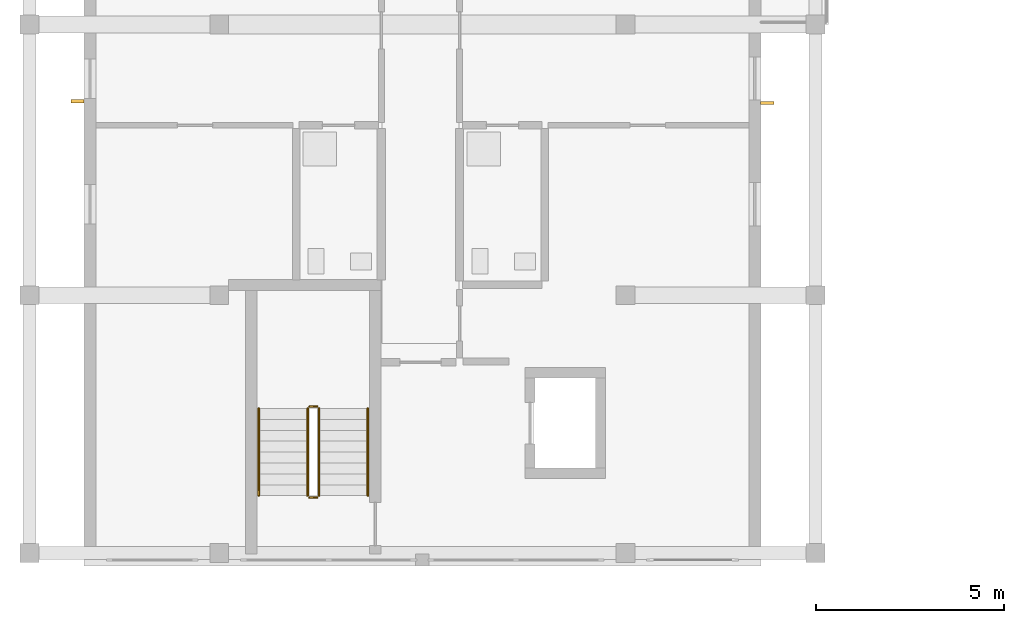
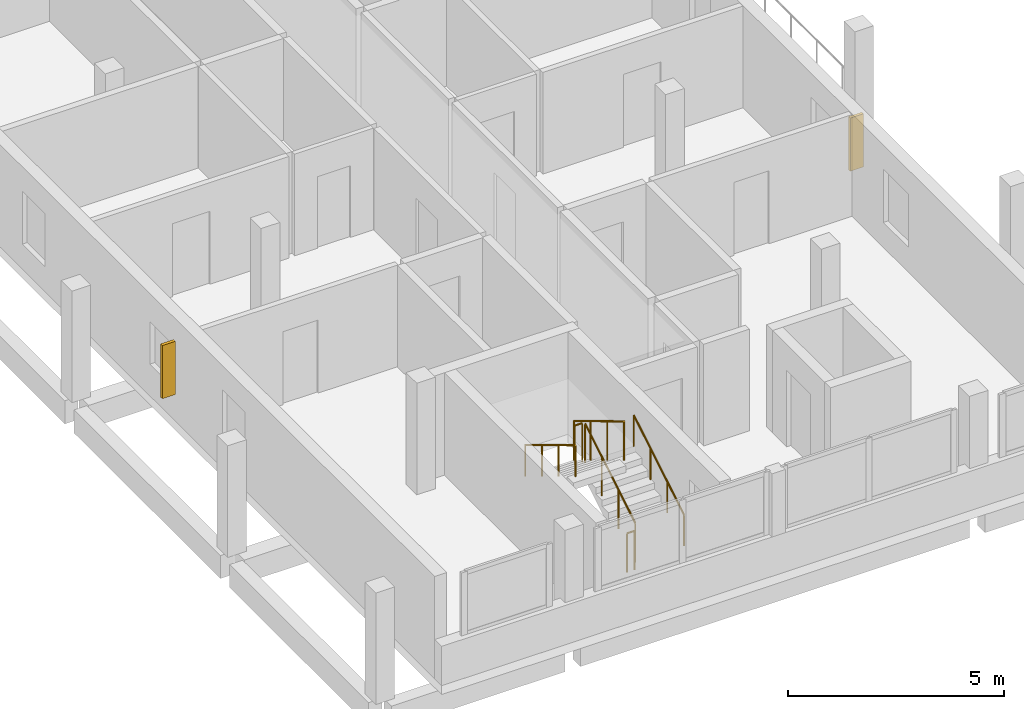
# One storey, part 12 of 16: 6 railings, 2 shading devices.
"""IFC4 building model written with IfcOpenShell, lengths in metres."""

from ifc_helpers import new_model, si_unit, derived_unit, direction, frame, origin, origin_2d, place, context, subcontext, project, spatial, rectangle, circle, extrude, material, type_object, element, save


model = new_model("IFC4")

# Units and contexts
model_context = context("Model", 3, precision=1e-05, world=origin(), true_north=direction((0.0, 1.0)))
body_context = subcontext(model_context, "Body", "Model", "MODEL_VIEW")
ifc_project = project(units=[si_unit("LENGTHUNIT", "METRE"), si_unit("AREAUNIT", "SQUARE_METRE"), si_unit("VOLUMEUNIT", "CUBIC_METRE"), si_unit("PLANEANGLEUNIT", "RADIAN"), si_unit("MASSUNIT", "GRAM", prefix="KILO"), derived_unit("THERMALTRANSMITTANCEUNIT", [(si_unit("MASSUNIT", "GRAM", prefix="KILO"), 1), (si_unit("TIMEUNIT", "SECOND"), -3), (si_unit("THERMODYNAMICTEMPERATUREUNIT", "KELVIN"), -1)])], contexts=[model_context])

# Site, building, storey
site_placement = place(None, origin())
site = spatial("IfcSite", under=ifc_project, at=site_placement, CompositionType="ELEMENT")
building_placement = place(site_placement, origin())
building = spatial("IfcBuilding", under=site, at=building_placement, Name="Ochrekiln Boulevard Commons", CompositionType="ELEMENT")
storey_placement = place(building_placement, frame((0.0, 0.0, 40.425048828125)))
storey = spatial("IfcBuildingStorey", under=building, at=storey_placement, Name="L12", CompositionType="ELEMENT", Elevation=40.425048828125)

# Railings
ifc_material_1 = material(Name="Brushed stainless steel 316 tubular railing", Category="steel")
railing_type_1 = type_object("IfcRailingType", Name="RLG-HDR-900", PredefinedType="HANDRAIL", material=ifc_material_1)
railing_1_placement = place(storey_placement, frame((9.35009765625, 70.27001953125, 0.175048828125)))
element("IfcRailing", 1, at=railing_1_placement, inside=storey, type_object=railing_type_1, Name="L12 ST-A1 stair handrail 1", PredefinedType="HANDRAIL", context=body_context, shape_type="SweptSolid", body=[
    extrude(circle(Radius=0.02392578125, at=origin_2d()), frame((0.0, 0.0, 0.8759765625), z_axis=(0.0, 0.85621033714, 0.516627388526), x_axis=(-1.0, 0.0, 0.0)), (0.0, 0.0, 1.0), 2.709716796875),
    extrude(circle(Radius=0.02099609375, at=origin_2d()), origin(), (0.0, 0.0, 1.0), 0.851806640625),
    extrude(circle(Radius=0.02099609375, at=origin_2d()), frame((0.0, 0.7734375, 0.466552734375)), (0.0, 0.0, 1.0), 0.851806640625),
    extrude(circle(Radius=0.02099609375, at=origin_2d()), frame((0.0, 1.546630859375, 0.933349609375)), (0.0, 0.0, 1.0), 0.851806640625),
    extrude(circle(Radius=0.02099609375, at=origin_2d()), frame((0.0, 2.320068359375, 1.39990234375)), (0.0, 0.0, 1.0), 0.851806640625),
])
railing_2_placement = place(storey_placement, frame((6.449951171875, 72.590087890625, 1.75)))
element("IfcRailing", 2, at=railing_2_placement, inside=storey, type_object=railing_type_1, Name="L12 ST-A1 stair handrail 2", PredefinedType="HANDRAIL", context=body_context, shape_type="SweptSolid", body=[
    extrude(circle(Radius=0.02392578125, at=origin_2d()), frame((0.0, 0.0, 0.8759765625), z_axis=(0.0, -0.85621033714, 0.516627388526), x_axis=(1.0, 0.0, 0.0)), (0.0, 0.0, 1.0), 2.709716796875),
    extrude(circle(Radius=0.02099609375, at=origin_2d()), origin(), (0.0, 0.0, 1.0), 0.851806640625),
    extrude(circle(Radius=0.02099609375, at=origin_2d()), frame((0.0, -0.7734375, 0.466552734375)), (0.0, 0.0, 1.0), 0.851806640625),
    extrude(circle(Radius=0.02099609375, at=origin_2d()), frame((0.0, -1.546630859375, 0.933349609375)), (0.0, 0.0, 1.0), 0.851806640625),
    extrude(circle(Radius=0.02099609375, at=origin_2d()), frame((0.0, -2.320068359375, 1.39990234375)), (0.0, 0.0, 1.0), 0.851806640625),
])
railing_type_2 = type_object("IfcRailingType", Name="RLG-STR-1120", PredefinedType="BALUSTRADE", material=ifc_material_1)
railing_3_placement = place(storey_placement, frame((8.050048828125, 70.27001953125, 0.175048828125)))
element("IfcRailing", 3, at=railing_3_placement, inside=storey, type_object=railing_type_2, Name="L12 ST-A1 stair guard 1", PredefinedType="BALUSTRADE", context=body_context, shape_type="SweptSolid", body=[
    extrude(circle(Radius=0.02392578125, at=origin_2d()), frame((0.0, 0.0, 1.09619140625), z_axis=(0.0, 0.85621033714, 0.516627388526), x_axis=(-1.0, 0.0, 0.0)), (0.0, 0.0, 1.0), 2.709716796875),
    extrude(circle(Radius=0.02099609375, at=origin_2d()), origin(), (0.0, 0.0, 1.0), 1.072021484375),
    extrude(circle(Radius=0.02099609375, at=origin_2d()), frame((0.0, 0.7734375, 0.466552734375)), (0.0, 0.0, 1.0), 1.072021484375),
    extrude(circle(Radius=0.02099609375, at=origin_2d()), frame((0.0, 1.546630859375, 0.933349609375)), (0.0, 0.0, 1.0), 1.072021484375),
    extrude(circle(Radius=0.02099609375, at=origin_2d()), frame((0.0, 2.320068359375, 1.39990234375)), (0.0, 0.0, 1.0), 1.072021484375),
])
railing_4_placement = place(storey_placement, frame((8.0, 72.639892578125, 1.574951171875)))
element("IfcRailing", 4, at=railing_4_placement, inside=storey, type_object=railing_type_2, Name="L12 ST-A1 stair guard 2", PredefinedType="BALUSTRADE", context=body_context, shape_type="SweptSolid", body=[
    extrude(circle(Radius=0.02392578125, at=origin_2d()), frame((0.0, 0.0, 1.09619140625), z_axis=(-1.0, 0.0, 0.0), x_axis=(0.0, -1.0, 0.0)), (0.0, 0.0, 1.0), 0.199951171875),
    extrude(circle(Radius=0.02099609375, at=origin_2d()), origin(), (0.0, 0.0, 1.0), 1.072021484375),
    extrude(circle(Radius=0.02099609375, at=origin_2d()), frame((-0.199951171875, 0.0, 0.0)), (0.0, 0.0, 1.0), 1.072021484375),
])
railing_5_placement = place(storey_placement, frame((7.75, 72.590087890625, 1.75)))
element("IfcRailing", 5, at=railing_5_placement, inside=storey, type_object=railing_type_2, Name="L12 ST-A1 stair guard 3", PredefinedType="BALUSTRADE", context=body_context, shape_type="SweptSolid", body=[
    extrude(circle(Radius=0.02392578125, at=origin_2d()), frame((0.0, 0.0, 1.09619140625), z_axis=(0.0, -0.85621033714, 0.516627388526), x_axis=(1.0, 0.0, 0.0)), (0.0, 0.0, 1.0), 2.709716796875),
    extrude(circle(Radius=0.02099609375, at=origin_2d()), origin(), (0.0, 0.0, 1.0), 1.072021484375),
    extrude(circle(Radius=0.02099609375, at=origin_2d()), frame((0.0, -0.7734375, 0.466552734375)), (0.0, 0.0, 1.0), 1.072021484375),
    extrude(circle(Radius=0.02099609375, at=origin_2d()), frame((0.0, -1.546630859375, 0.933349609375)), (0.0, 0.0, 1.0), 1.072021484375),
    extrude(circle(Radius=0.02099609375, at=origin_2d()), frame((0.0, -2.320068359375, 1.39990234375)), (0.0, 0.0, 1.0), 1.072021484375),
])
railing_6_placement = place(storey_placement, frame((8.0, 70.219970703125, 0.0)))
element("IfcRailing", 6, at=railing_6_placement, inside=storey, type_object=railing_type_2, Name="L12 ST-A1 stair guard 4", PredefinedType="BALUSTRADE", context=body_context, shape_type="SweptSolid", body=[
    extrude(circle(Radius=0.02392578125, at=origin_2d()), frame((0.0, 0.0, 1.09619140625), z_axis=(-1.0, 0.0, 0.0), x_axis=(0.0, -1.0, 0.0)), (0.0, 0.0, 1.0), 0.199951171875),
    extrude(circle(Radius=0.02099609375, at=origin_2d()), origin(), (0.0, 0.0, 1.0), 1.072021484375),
    extrude(circle(Radius=0.02099609375, at=origin_2d()), frame((-0.199951171875, 0.0, 0.0)), (0.0, 0.0, 1.0), 1.072021484375),
])

# Shading devices
ifc_material_2 = material(Name="Glazed architectural terracotta ASTM C1405", Category="masonry")
shading_device_type = type_object("IfcShadingDeviceType", Name="SHD-FIN-TERRA", PredefinedType="JALOUSIE", material=ifc_material_2)
for number, where, z_axis, x_axis, name in (
    (7, (1.6298828125, 80.759033203125, 0.75), (0.0, 0.0, 1.0), (1.0, 0.0, 0.0), "Terracotta Solar Shading Fin SF-01 (21)"),
    (8, (19.969970703125, 80.708984375, 0.780029296875), (0.0, 0.0, 1.0), (1.0, 0.0, 0.0), "Terracotta Solar Shading Fin SF-01 (22)"),
):
    element("IfcShadingDevice", number, at=place(storey_placement, frame(where, z_axis=z_axis, x_axis=x_axis)), inside=storey, type_object=shading_device_type, Name=name, PredefinedType="JALOUSIE", context=body_context, shape_type="SweptSolid", body=[
        extrude(rectangle(XDim=0.35009765625, YDim=0.080078125, at=origin_2d()), origin(), (0.0, 0.0, 1.0), 1.5),
    ])

save(model, "model.ifc")
